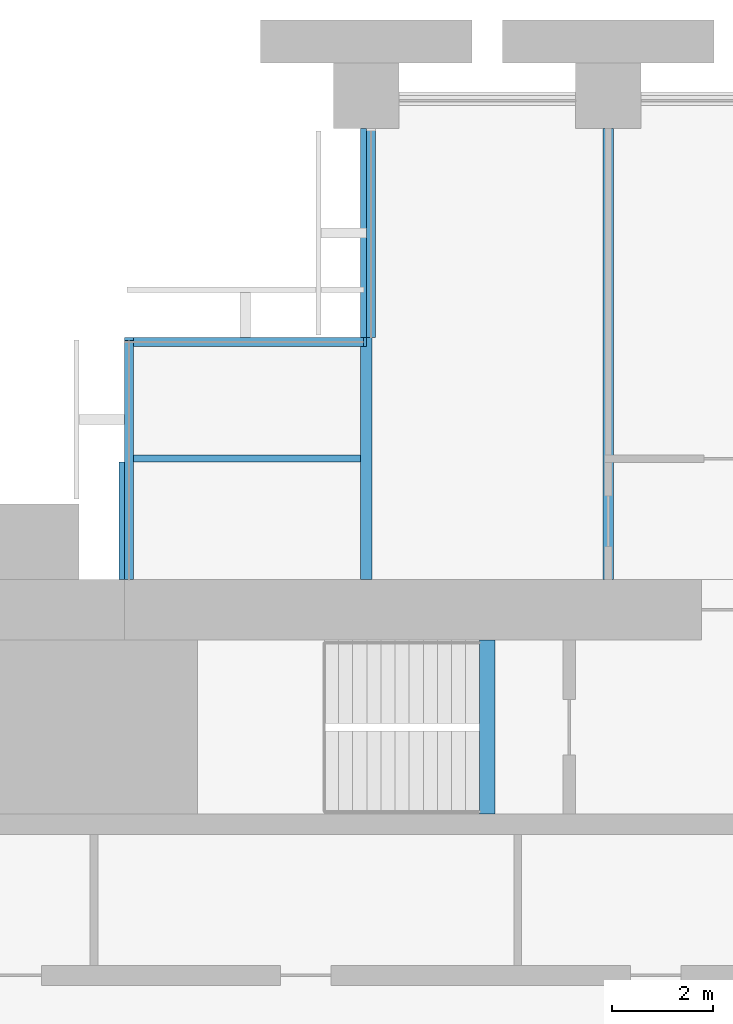
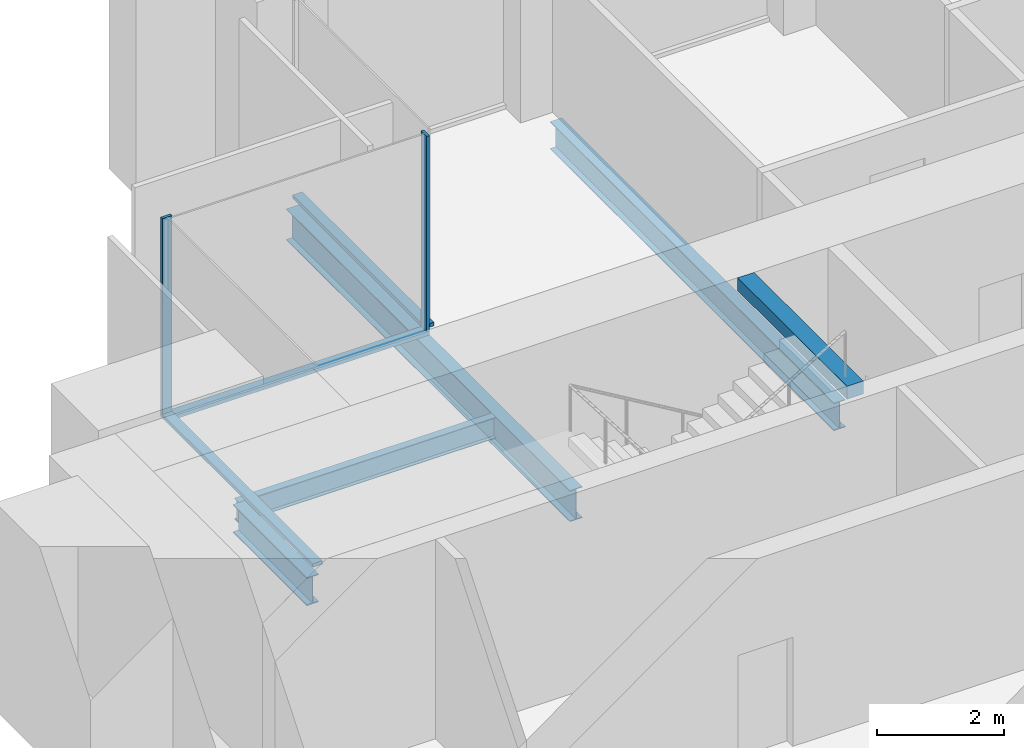
# One storey, part 5 of 14: 5 beams, 5 members, 3 elements without a shape of their own.
"""IFC4 building model written with IfcOpenShell, lengths in metres."""

from ifc_helpers import new_model, si_unit, direction, frame, origin, origin_2d, place, context, subcontext, project, spatial, rectangle, i_section, extrude, material, material_profile, profile_set, type_object, element, aggregate, save


model = new_model("IFC4")

# Units and contexts
model_context = context("Model", 3, precision=1e-05, world=origin(), true_north=direction((0.0, 1.0)))
body_context = subcontext(model_context, "Body", "Model", "MODEL_VIEW")
ifc_project = project(units=[si_unit("LENGTHUNIT", "METRE"), si_unit("AREAUNIT", "SQUARE_METRE"), si_unit("VOLUMEUNIT", "CUBIC_METRE"), si_unit("PLANEANGLEUNIT", "RADIAN"), si_unit("MASSUNIT", "GRAM", prefix="KILO")], contexts=[model_context])

# Site, building, storey
site_placement = place(None, origin())
site = spatial("IfcSite", under=ifc_project, at=site_placement, CompositionType="ELEMENT")
building_placement = place(site_placement, origin())
building = spatial("IfcBuilding", under=site, at=building_placement, Name="Baori Bourse Tower", CompositionType="ELEMENT")
storey_placement = place(building_placement, frame((0.0, 0.0, 79.0)))
storey = spatial("IfcBuildingStorey", under=building, at=storey_placement, Name="L17", CompositionType="ELEMENT", Elevation=79.0)

# Curtain wall, member
ifc_material_1 = material(Name="Pale anodised aluminium", Category="aluminium")
curtain_wall_type = type_object("IfcCurtainWallType", Name="CW2 Curtain wall", PredefinedType="NOTDEFINED", material=ifc_material_1)
curtain_wall_1_placement = place(storey_placement, origin())
curtain_wall_1 = element("IfcCurtainWall", 1, at=curtain_wall_1_placement, inside=storey, type_object=curtain_wall_type, Name="Curtain wall CW2 L17 6", PredefinedType="NOTDEFINED")
ifc_material_2 = material(Name="Pale anodised aluminium", Category="aluminium")
ifc_material_profile_1 = material_profile(ifc_material_2, rectangle(XDim=0.179931640625, YDim=0.054931640625, at=origin_2d()), Name="Mullion 55x180")
ifc_profile_set_1 = profile_set([ifc_material_profile_1], Name="Pale anodised aluminium")
member_type_1 = type_object("IfcMemberType", Name="CW2 Curtain wall mullion", PredefinedType="MULLION", material=ifc_profile_set_1)
member_1_placement = place(storey_placement, frame((9.572509765625, 43.110107421875, 0.070068359375), z_axis=(0.0, 0.0, 1.0), x_axis=(0.0, -1.0, 0.0)))
member_1 = element("IfcMember", 2, at=member_1_placement, type_object=member_type_1, Name="Curtain wall CW2 mullion", PredefinedType="MULLION", context=body_context, shape_type="SweptSolid", body=[
    extrude(rectangle(XDim=0.179931640625, YDim=0.054931640625, at=origin_2d()), origin(), (0.0, 0.0, 1.0), 3.77001953125),
])

curtain_wall_2_placement = place(storey_placement, origin())
curtain_wall_2 = element("IfcCurtainWall", 3, at=curtain_wall_2_placement, inside=storey, type_object=curtain_wall_type, Name="Curtain wall CW2 L17 7", PredefinedType="NOTDEFINED")
member_2_placement = place(storey_placement, frame((4.889892578125, 43.172607421875, 0.070068359375), z_axis=(0.0, 0.0, 1.0), x_axis=(1.0, 0.0, 0.0)))
member_2 = element("IfcMember", 4, at=member_2_placement, type_object=member_type_1, Name="Curtain wall CW2 mullion", PredefinedType="MULLION", context=body_context, shape_type="SweptSolid", body=[
    extrude(rectangle(XDim=0.179931640625, YDim=0.054931640625, at=origin_2d()), origin(), (0.0, 0.0, 1.0), 3.77001953125),
])

curtain_wall_3_placement = place(storey_placement, origin())
curtain_wall_3 = element("IfcCurtainWall", 5, at=curtain_wall_3_placement, inside=storey, type_object=curtain_wall_type, Name="Curtain wall CW2 L17 5", PredefinedType="NOTDEFINED")
ifc_material_3 = material(Name="Pale anodised aluminium", Category="aluminium")
ifc_material_profile_2 = material_profile(ifc_material_3, rectangle(XDim=0.179931640625, YDim=0.070068359375, at=origin_2d()), Name="Transom 70x180")
ifc_profile_set_2 = profile_set([ifc_material_profile_2], Name="Pale anodised aluminium")
member_type_2 = type_object("IfcMemberType", Name="CW2 Curtain wall transom", PredefinedType="USERDEFINED", material=ifc_profile_set_2)
member_3_placement = place(storey_placement, frame((9.68994140625, 47.35009765625, 0.034912109375), z_axis=(0.0, -1.0, 0.0), x_axis=(1.0, 0.0, 0.0)))
member_3 = element("IfcMember", 6, at=member_3_placement, type_object=member_type_2, Name="Curtain wall CW2 sill rail", ObjectType="TRANSOM", PredefinedType="USERDEFINED", context=body_context, shape_type="SweptSolid", body=[
    extrude(rectangle(XDim=0.179931640625, YDim=0.070068359375, at=origin_2d()), origin(), (0.0, 0.0, 1.0), 4.150146484375),
])
aggregate(curtain_wall_3, [member_3])

# Member
member_4_placement = place(storey_placement, frame((9.60009765625, 43.110107421875, 0.034912109375), z_axis=(-1.0, 0.0, 0.0), x_axis=(0.0, -1.0, 0.0)))
member_4 = element("IfcMember", 7, at=member_4_placement, type_object=member_type_2, Name="Curtain wall CW2 sill rail", ObjectType="TRANSOM", PredefinedType="USERDEFINED", context=body_context, shape_type="SweptSolid", body=[
    extrude(rectangle(XDim=0.179931640625, YDim=0.070068359375, at=origin_2d()), origin(), (0.0, 0.0, 1.0), 4.800048828125),
])

aggregate(curtain_wall_1, [member_4, member_1])

member_5_placement = place(storey_placement, frame((4.889892578125, 43.199951171875, 0.034912109375), z_axis=(0.0, -1.0, 0.0), x_axis=(1.0, 0.0, 0.0)))
member_5 = element("IfcMember", 8, at=member_5_placement, type_object=member_type_2, Name="Curtain wall CW2 sill rail", ObjectType="TRANSOM", PredefinedType="USERDEFINED", context=body_context, shape_type="SweptSolid", body=[
    extrude(rectangle(XDim=0.179931640625, YDim=0.070068359375, at=origin_2d()), origin(), (0.0, 0.0, 1.0), 4.800048828125),
])

aggregate(curtain_wall_2, [member_5, member_2])

# Beams
ifc_material_4 = material(Name="Steel A992 Gr 50", Category="steel")
ifc_material_profile_3 = material_profile(ifc_material_4, i_section(OverallWidth=0.21240234375, OverallDepth=0.54345703125, WebThickness=0.01318359375, FlangeThickness=0.021240234375, at=origin_2d()), Name="W21x83")
ifc_profile_set_3 = profile_set([ifc_material_profile_3], Name="Steel A992 Gr 50")
beam_type_1 = type_object("IfcBeamType", Name="Core bracket W21x83", PredefinedType="BEAM", material=ifc_profile_set_3)
beam_1_placement = place(storey_placement, frame((4.800048828125, 38.39990234375, -0.431884765625), z_axis=(0.0, 1.0, 0.0), x_axis=(-1.0, 0.0, 0.0)))
element("IfcBeam", 9, at=beam_1_placement, inside=storey, type_object=beam_type_1, Name="Core bracket L17", PredefinedType="BEAM", context=body_context, shape_type="SweptSolid", body=[
    extrude(i_section(OverallWidth=0.21240234375, OverallDepth=0.54345703125, WebThickness=0.01318359375, FlangeThickness=0.021240234375, at=origin_2d()), origin(), (0.0, 0.0, 1.0), 2.329833984375),
])
ifc_material_5 = material(Name="Steel A992 Gr 50", Category="steel")
ifc_material_profile_4 = material_profile(ifc_material_5, i_section(OverallWidth=0.209228515625, OverallDepth=0.533447265625, WebThickness=0.01025390625, FlangeThickness=0.015625, at=origin_2d()), Name="W21x62")
ifc_profile_set_4 = profile_set([ifc_material_profile_4], Name="Steel A992 Gr 50")
beam_type_2 = type_object("IfcBeamType", Name="Floor beam W21x62", PredefinedType="BEAM", material=ifc_profile_set_4)
beam_2_placement = place(storey_placement, frame((14.39990234375, 38.39990234375, -0.4267578125), z_axis=(0.0, 1.0, 0.0), x_axis=(-1.0, 0.0, 0.0)))
element("IfcBeam", 10, at=beam_2_placement, inside=storey, type_object=beam_type_2, Name="Floor beam L17", PredefinedType="BEAM", context=body_context, shape_type="SweptSolid", body=[
    extrude(i_section(OverallWidth=0.209228515625, OverallDepth=0.533447265625, WebThickness=0.01025390625, FlangeThickness=0.015625, at=origin_2d()), origin(), (0.0, 0.0, 1.0), 8.9501953125),
])
ifc_material_6 = material(Name="Steel A992 Gr 50", Category="steel")
ifc_material_profile_5 = material_profile(ifc_material_6, i_section(OverallWidth=0.227783203125, OverallDepth=0.60205078125, WebThickness=0.010498046875, FlangeThickness=0.014892578125, at=origin_2d()), Name="W24x68")
ifc_profile_set_5 = profile_set([ifc_material_profile_5], Name="Steel A992 Gr 50")
beam_type_3 = type_object("IfcBeamType", Name="Floor beam W24x68", PredefinedType="BEAM", material=ifc_profile_set_5)
beam_3_placement = place(storey_placement, frame((9.60009765625, 38.39990234375, -0.4609375), z_axis=(0.0, 1.0, 0.0), x_axis=(-1.0, 0.0, 0.0)))
element("IfcBeam", 11, at=beam_3_placement, inside=storey, type_object=beam_type_3, Name="Floor beam L17", PredefinedType="BEAM", context=body_context, shape_type="SweptSolid", body=[
    extrude(i_section(OverallWidth=0.227783203125, OverallDepth=0.60205078125, WebThickness=0.010498046875, FlangeThickness=0.014892578125, at=origin_2d()), origin(), (0.0, 0.0, 1.0), 8.9501953125),
])
ifc_material_7 = material(Name="Concrete f'c 50 MPa", Category="concrete")
ifc_material_profile_6 = material_profile(ifc_material_7, rectangle(XDim=0.300048828125, YDim=0.25, at=origin_2d()), Name="RC 300x250")
ifc_profile_set_6 = profile_set([ifc_material_profile_6], Name="Concrete f'c 50 MPa")
beam_type_4 = type_object("IfcBeamType", Name="Stair nib beam RC 300x250", PredefinedType="BEAM", material=ifc_profile_set_6)
beam_4_placement = place(storey_placement, frame((12.0, 33.75, 3.715087890625), z_axis=(0.0, 1.0, 0.0), x_axis=(-1.0, 0.0, 0.0)))
element("IfcBeam", 12, at=beam_4_placement, inside=storey, type_object=beam_type_4, Name="Stair WB nib beam L18", PredefinedType="BEAM", context=body_context, shape_type="SweptSolid", body=[
    extrude(rectangle(XDim=0.300048828125, YDim=0.25, at=origin_2d()), origin(), (0.0, 0.0, 1.0), 3.449951171875),
])
ifc_material_8 = material(Name="Steel A992 Gr 50", Category="steel")
ifc_material_profile_7 = material_profile(ifc_material_8, i_section(OverallWidth=0.140380859375, OverallDepth=0.40380859375, WebThickness=0.007080078125, FlangeThickness=0.01123046875, at=origin_2d()), Name="W16x31")
ifc_profile_set_7 = profile_set([ifc_material_profile_7], Name="Steel A992 Gr 50")
beam_type_5 = type_object("IfcBeamType", Name="Trimmer beam W16x31", PredefinedType="BEAM", material=ifc_profile_set_7)
beam_5_placement = place(storey_placement, frame((4.800048828125, 40.800048828125, -0.36181640625), z_axis=(1.0, 0.0, 0.0), x_axis=(0.0, 1.0, 0.0)))
element("IfcBeam", 13, at=beam_5_placement, inside=storey, type_object=beam_type_5, Name="Trimmer beam L17", PredefinedType="BEAM", context=body_context, shape_type="SweptSolid", body=[
    extrude(i_section(OverallWidth=0.140380859375, OverallDepth=0.40380859375, WebThickness=0.007080078125, FlangeThickness=0.01123046875, at=origin_2d()), origin(), (0.0, 0.0, 1.0), 4.68603515625),
])

save(model, "model.ifc")
